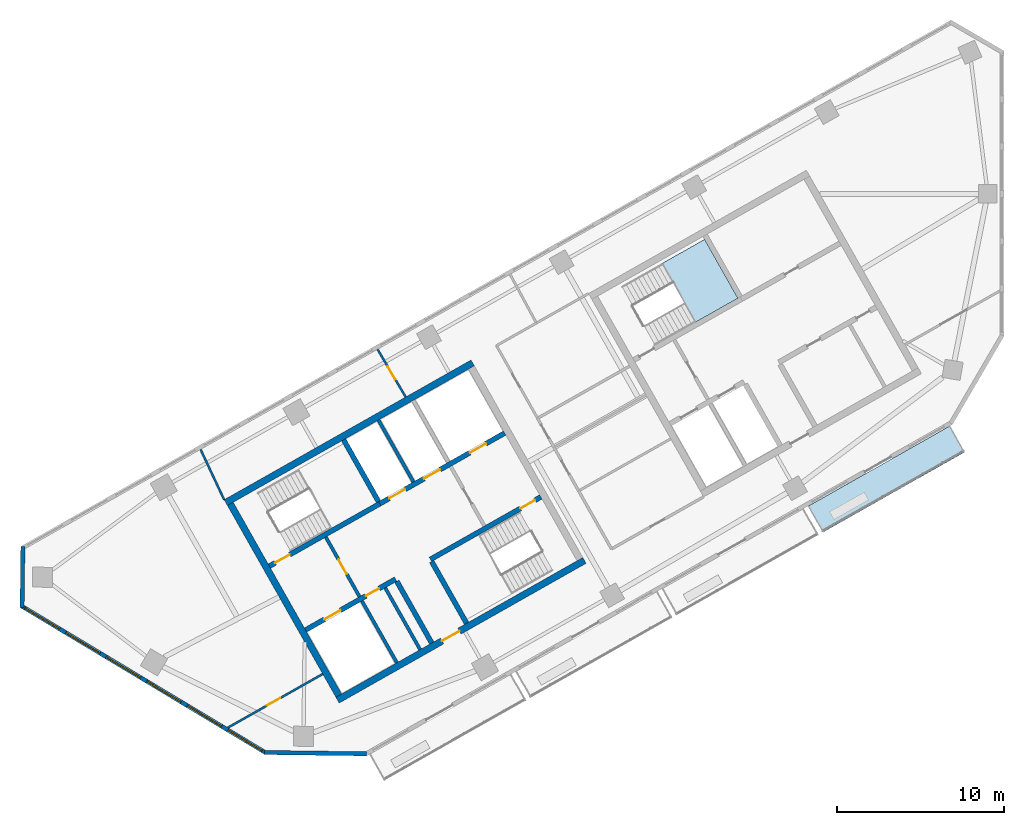
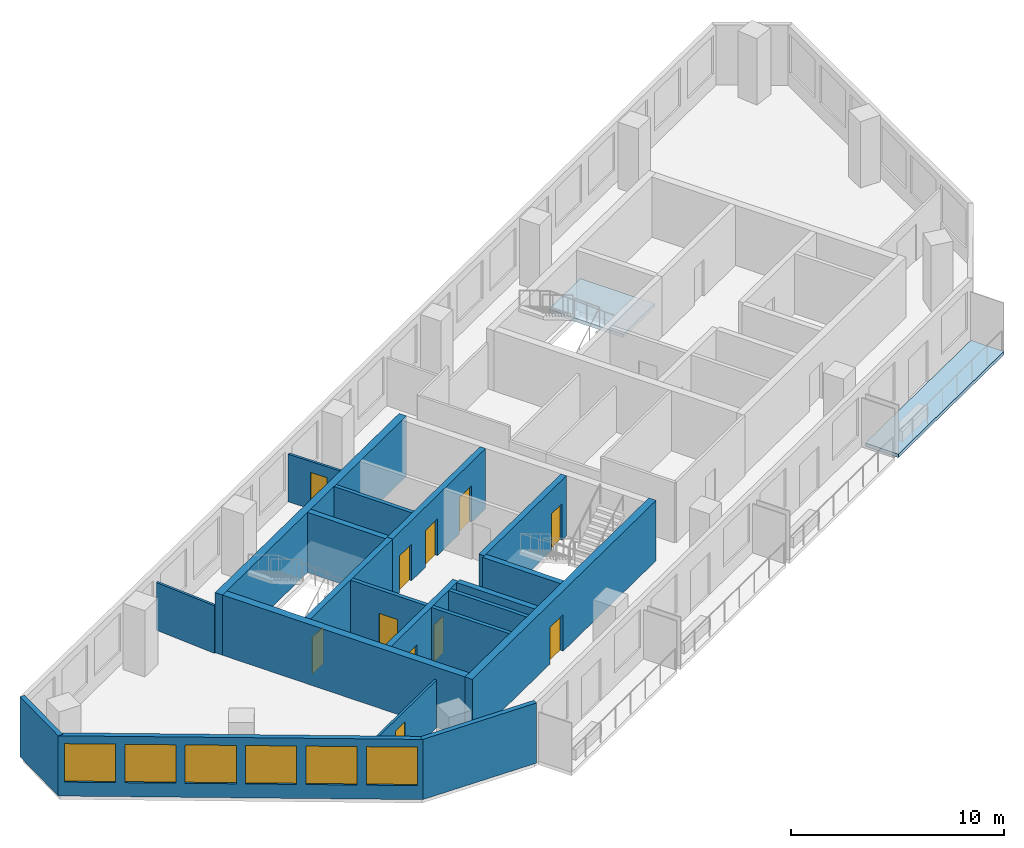
# One storey, part 2 of 7: 20 walls, 11 doors, 6 windows, 2 slabs, 17 openings, 1 element without a shape of its own.
"""IFC4 building model written with IfcOpenShell, lengths in metres."""

from ifc_helpers import new_model, si_unit, direction, frame, frame_2d, origin, place, context, subcontext, project, spatial, polyline, rectangle, outline, extrude, material, layer, layer_set, type_object, element, fill, aggregate, save


model = new_model("IFC4")

# Units and contexts
model_context = context("Model", 3, precision=1e-05, world=origin(), true_north=direction((0.0, 1.0)))
body_context = subcontext(model_context, "Body", "Model", "MODEL_VIEW")
ifc_project = project(units=[si_unit("LENGTHUNIT", "METRE"), si_unit("AREAUNIT", "SQUARE_METRE"), si_unit("VOLUMEUNIT", "CUBIC_METRE"), si_unit("PLANEANGLEUNIT", "RADIAN"), si_unit("MASSUNIT", "GRAM", prefix="KILO")], contexts=[model_context])

# Site, building, storey
site_placement = place(None, origin())
site = spatial("IfcSite", under=ifc_project, at=site_placement, CompositionType="ELEMENT")
building_placement = place(site_placement, origin())
building = spatial("IfcBuilding", under=site, at=building_placement, Name="Binnacle Exchange Tower", CompositionType="ELEMENT")
storey_placement = place(building_placement, frame((0.0, 0.0, 281.699951171875)))
storey = spatial("IfcBuildingStorey", under=building, at=storey_placement, Name="L63", CompositionType="ELEMENT", Elevation=281.699951171875)

# Slab
ifc_material_1 = material(Name="Concrete C35/45", Category="concrete")
ifc_layer_1 = layer(ifc_material_1, 0.199951171875)
ifc_layer_set_1 = layer_set([ifc_layer_1], Name="BALCONY SLAB 200")
slab_type_1 = type_object("IfcSlabType", Name="BALCONY SLAB 200", PredefinedType="FLOOR", material=ifc_layer_set_1)
slab_1_placement = place(storey_placement, frame((0.0, 0.0, -0.199951171875)))
element("IfcSlab", 1, at=slab_1_placement, inside=storey, type_object=slab_type_1, Name="Balcony BA-H07-03 L63", PredefinedType="FLOOR", context=body_context, shape_type="SweptSolid", body=[
    extrude(outline(polyline([(-11.616943359375, 41.28369140625), (-3.115234375, 46.093994140625), (-2.22900390625, 44.527099609375), (-10.730712890625, 39.717041015625), (-11.616943359375, 41.28369140625)])), origin(), (0.0, 0.0, 1.0), 0.199951171875),
])

# Stair, slab
stair_type = type_object("IfcStairType", Name="STAIR 22 RISERS 173", PredefinedType="HALF_TURN_STAIR", material=ifc_material_1)
stair_placement = place(storey_placement, origin())
stair = element("IfcStair", 2, at=stair_placement, inside=storey, type_object=stair_type, Name="L63 Escape stair C1", PredefinedType="HALF_TURN_STAIR")
ifc_layer_2 = layer(ifc_material_1, 0.199951171875)
ifc_layer_set_2 = layer_set([ifc_layer_2], Name="STAIR LANDING 200")
slab_type_2 = type_object("IfcSlabType", Name="STAIR LANDING 200", PredefinedType="LANDING", material=ifc_layer_set_2)
slab_2_placement = place(storey_placement, frame((0.0, 0.0, 1.699951171875)))
slab_2 = element("IfcSlab", 3, at=slab_2_placement, type_object=slab_type_2, Name="STC1 landing 1", PredefinedType="LANDING", context=body_context, shape_type="SweptSolid", body=[
    extrude(outline(polyline([(-18.364013671875, 52.31005859375), (-15.822509765625, 53.748046875), (-17.81689453125, 57.27294921875), (-20.3583984375, 55.8349609375), (-18.364013671875, 52.31005859375)])), origin(), (0.0, 0.0, 1.0), 0.2001953125),
])
aggregate(stair, [slab_2])

# Wall, openings, doors
ifc_material_2 = material(Name="Concrete C70/85", Category="concrete")
ifc_layer_3 = layer(ifc_material_2, 0.300048828125)
ifc_layer_set_3 = layer_set([ifc_layer_3], Name="Core wall - front 300")
wall_type_1 = type_object("IfcWallType", Name="Core wall - front 300", PredefinedType="SOLIDWALL", material=ifc_layer_set_3)
wall_1_placement = place(storey_placement, frame((-41.72998046875, 33.862548828125, 0.0), z_axis=(0.0, 0.0, 1.0), x_axis=(0.870350800578, 0.492432212525, 0.0)))
wall_1 = element("IfcWall", 4, at=wall_1_placement, inside=storey, type_object=wall_type_1, Name="Core wall CRWA2", PredefinedType="SOLIDWALL", context=body_context, shape_type="SweptSolid", body=[
    extrude(rectangle(XDim=6.19970703125, YDim=0.300048828125, at=frame_2d((3.099853515625, 0.0))), origin(), (0.0, 0.0, 1.0), 3.449951171875),
])
opening_1_placement = place(wall_1_placement, frame((1.300048828125, 0.0, 0.0)))
opening_1 = element("IfcOpeningElement", 5, at=opening_1_placement, cuts=wall_1, Name="Opening LD12", PredefinedType="OPENING", context=body_context, shape_type="SweptSolid", body=[
    extrude(rectangle(XDim=1.10009765625, YDim=2.10009765625, at=frame_2d((0.550048828125, 1.050048828125))), frame((0.0, 0.159912109375, 0.0), z_axis=(0.0, -1.0, 0.0), x_axis=(1.0, 0.0, 0.0)), (0.0, 0.0, 1.0), 0.320068359375),
])
opening_2_placement = place(wall_1_placement, frame((4.14990234375, 0.0, 0.0)))
opening_2 = element("IfcOpeningElement", 6, at=opening_2_placement, cuts=wall_1, Name="Opening DA14", PredefinedType="OPENING", context=body_context, shape_type="SweptSolid", body=[
    extrude(rectangle(XDim=0.89990234375, YDim=2.10009765625, at=frame_2d((0.449951171875, 1.050048828125))), frame((0.0, 0.159912109375, 0.0), z_axis=(0.0, -1.0, 0.0), x_axis=(1.0, 0.0, 0.0)), (0.0, 0.0, 1.0), 0.320068359375),
])
ifc_material_3 = material(Name="Steel door leaf", Category="steel")
door_type_1 = type_object("IfcDoorType", Name="Fire door - lift landing 1100", OperationType="NOTDEFINED", PredefinedType="DOOR", material=ifc_material_3)
door_1_placement = place(opening_1_placement, origin())
door_1 = element("IfcDoor", 7, at=door_1_placement, inside=storey, type_object=door_type_1, Name="Landing door LD12 L63", OperationType="DOUBLE_DOOR_SLIDING", OverallHeight=2.10009765625, OverallWidth=1.10009765625, PredefinedType="DOOR", context=body_context, shape_type="SweptSolid", body=[
    extrude(rectangle(XDim=1.10009765625, YDim=2.10009765625, at=frame_2d((0.550048828125, 1.050048828125))), frame((0.0, 0.02490234375, 0.0), z_axis=(0.0, -1.0, 0.0), x_axis=(1.0, 0.0, 0.0)), (0.0, 0.0, 1.0), 0.050048828125),
])
fill(opening_1, door_1)
door_type_2 = type_object("IfcDoorType", Name="Fire door 900", OperationType="NOTDEFINED", PredefinedType="DOOR", material=ifc_material_3)
door_2_placement = place(opening_2_placement, frame((0.89990234375, 0.0, 0.0), z_axis=(0.0, 0.0, 1.0), x_axis=(-1.0, 0.0, 0.0)))
door_2 = element("IfcDoor", 8, at=door_2_placement, inside=storey, type_object=door_type_2, Name="Core room door IT STORE", OperationType="SINGLE_SWING_LEFT", OverallHeight=2.10009765625, OverallWidth=0.89990234375, PredefinedType="DOOR", context=body_context, shape_type="SweptSolid", body=[
    extrude(rectangle(XDim=0.89990234375, YDim=2.10009765625, at=frame_2d((0.449951171875, 1.050048828125))), frame((0.0, 0.02490234375, 0.0), z_axis=(0.0, -1.0, 0.0), x_axis=(1.0, 0.0, 0.0)), (0.0, 0.0, 1.0), 0.050048828125),
])
fill(opening_2, door_2)

wall_2_placement = place(storey_placement, frame((-37.281982421875, 41.4345703125, 0.0), z_axis=(0.0, 0.0, 1.0), x_axis=(0.870361315115, 0.492413628113, 0.0)))
wall_2 = element("IfcWall", 9, at=wall_2_placement, inside=storey, type_object=wall_type_1, Name="Core wall CRWA5", PredefinedType="SOLIDWALL", context=body_context, shape_type="SweptSolid", body=[
    extrude(rectangle(XDim=8.599609375, YDim=0.300048828125, at=frame_2d((4.2998046875, 0.0))), origin(), (0.0, 0.0, 1.0), 3.449951171875),
])
opening_3_placement = place(wall_2_placement, frame((0.650146484375, 0.0, 0.0)))
opening_3 = element("IfcOpeningElement", 10, at=opening_3_placement, cuts=wall_2, Name="Opening LD9", PredefinedType="OPENING", context=body_context, shape_type="SweptSolid", body=[
    extrude(rectangle(XDim=1.10009765625, YDim=2.10009765625, at=frame_2d((0.550048828125, 1.050048828125))), frame((0.0, 0.159912109375, 0.0), z_axis=(0.0, -1.0, 0.0), x_axis=(1.0, 0.0, 0.0)), (0.0, 0.0, 1.0), 0.320068359375),
])
opening_4_placement = place(wall_2_placement, frame((3.050048828125, 0.0, 0.0)))
opening_4 = element("IfcOpeningElement", 11, at=opening_4_placement, cuts=wall_2, Name="Opening LD10", PredefinedType="OPENING", context=body_context, shape_type="SweptSolid", body=[
    extrude(rectangle(XDim=1.10009765625, YDim=2.10009765625, at=frame_2d((0.550048828125, 1.050048828125))), frame((0.0, 0.159912109375, 0.0), z_axis=(0.0, -1.0, 0.0), x_axis=(1.0, 0.0, 0.0)), (0.0, 0.0, 1.0), 0.320068359375),
])
opening_5_placement = place(wall_2_placement, frame((6.199951171875, 0.0, 0.0)))
opening_5 = element("IfcOpeningElement", 12, at=opening_5_placement, cuts=wall_2, Name="Opening LD13", PredefinedType="OPENING", context=body_context, shape_type="SweptSolid", body=[
    extrude(rectangle(XDim=1.10009765625, YDim=2.10009765625, at=frame_2d((0.550048828125, 1.050048828125))), frame((0.0, 0.159912109375, 0.0), z_axis=(0.0, -1.0, 0.0), x_axis=(1.0, 0.0, 0.0)), (0.0, 0.0, 1.0), 0.320068359375),
])
door_3_placement = place(opening_3_placement, origin())
door_3 = element("IfcDoor", 13, at=door_3_placement, inside=storey, type_object=door_type_1, Name="Landing door LD9 L63", OperationType="DOUBLE_DOOR_SLIDING", OverallHeight=2.10009765625, OverallWidth=1.10009765625, PredefinedType="DOOR", context=body_context, shape_type="SweptSolid", body=[
    extrude(rectangle(XDim=1.10009765625, YDim=2.10009765625, at=frame_2d((0.550048828125, 1.050048828125))), frame((0.0, 0.02490234375, 0.0), z_axis=(0.0, -1.0, 0.0), x_axis=(1.0, 0.0, 0.0)), (0.0, 0.0, 1.0), 0.050048828125),
])
fill(opening_3, door_3)
door_4_placement = place(opening_4_placement, origin())
door_4 = element("IfcDoor", 14, at=door_4_placement, inside=storey, type_object=door_type_1, Name="Landing door LD10 L63", OperationType="DOUBLE_DOOR_SLIDING", OverallHeight=2.10009765625, OverallWidth=1.10009765625, PredefinedType="DOOR", context=body_context, shape_type="SweptSolid", body=[
    extrude(rectangle(XDim=1.10009765625, YDim=2.10009765625, at=frame_2d((0.550048828125, 1.050048828125))), frame((0.0, 0.02490234375, 0.0), z_axis=(0.0, -1.0, 0.0), x_axis=(1.0, 0.0, 0.0)), (0.0, 0.0, 1.0), 0.050048828125),
])
fill(opening_4, door_4)
door_5_placement = place(opening_5_placement, origin())
door_5 = element("IfcDoor", 15, at=door_5_placement, inside=storey, type_object=door_type_1, Name="Landing door LD13 L63", OperationType="DOUBLE_DOOR_SLIDING", OverallHeight=2.10009765625, OverallWidth=1.10009765625, PredefinedType="DOOR", context=body_context, shape_type="SweptSolid", body=[
    extrude(rectangle(XDim=1.10009765625, YDim=2.10009765625, at=frame_2d((0.550048828125, 1.050048828125))), frame((0.0, 0.02490234375, 0.0), z_axis=(0.0, -1.0, 0.0), x_axis=(1.0, 0.0, 0.0)), (0.0, 0.0, 1.0), 0.050048828125),
])
fill(opening_5, door_5)

# Wall
wall_3_placement = place(storey_placement, frame((-36.260009765625, 36.784912109375, 0.0), z_axis=(0.0, 0.0, 1.0), x_axis=(0.492422543467, -0.870356271124, 0.0)))
element("IfcWall", 16, at=wall_3_placement, inside=storey, type_object=wall_type_1, Name="Core wall CRWA13", PredefinedType="SOLIDWALL", context=body_context, shape_type="SweptSolid", body=[
    extrude(rectangle(XDim=4.25, YDim=0.300048828125, at=frame_2d((2.125, 0.0))), origin(), (0.0, 0.0, 1.0), 3.449951171875),
])

# Wall, opening, door
ifc_layer_4 = layer(ifc_material_2, 0.39990234375)
ifc_layer_set_4 = layer_set([ifc_layer_4], Name="Core wall - outer 400")
wall_type_2 = type_object("IfcWallType", Name="Core wall - outer 400", PredefinedType="SOLIDWALL", material=ifc_layer_set_4)
wall_4_placement = place(storey_placement, frame((-39.81298828125, 29.661865234375, 0.0), z_axis=(0.0, 0.0, 1.0), x_axis=(0.870350116061, 0.492433422375, 0.0)))
wall_4 = element("IfcWall", 17, at=wall_4_placement, inside=storey, type_object=wall_type_2, Name="Core wall CRWA1", PredefinedType="SOLIDWALL", context=body_context, shape_type="SweptSolid", body=[
    extrude(rectangle(XDim=17.0, YDim=0.39990234375, at=frame_2d((8.5, 0.0))), origin(), (0.0, 0.0, 1.0), 3.449951171875),
])
opening_6_placement = place(wall_4_placement, frame((7.199951171875, 0.0, 0.0)))
opening_6 = element("IfcOpeningElement", 18, at=opening_6_placement, cuts=wall_4, Name="Opening DA7", PredefinedType="OPENING", context=body_context, shape_type="SweptSolid", body=[
    extrude(rectangle(XDim=1.199951171875, YDim=2.10009765625, at=frame_2d((0.60009765625, 1.050048828125))), frame((0.0, 0.2099609375, 0.0), z_axis=(0.0, -1.0, 0.0), x_axis=(1.0, 0.0, 0.0)), (0.0, 0.0, 1.0), 0.419921875),
])
door_type_3 = type_object("IfcDoorType", Name="Fire door 1200", OperationType="NOTDEFINED", PredefinedType="DOOR", material=ifc_material_3)
door_6_placement = place(opening_6_placement, frame((1.199951171875, 0.0, 0.0), z_axis=(0.0, 0.0, 1.0), x_axis=(-1.0, 0.0, 0.0)))
door_6 = element("IfcDoor", 19, at=door_6_placement, inside=storey, type_object=door_type_3, Name="Lift lobby entrance door core A", OperationType="SINGLE_SWING_RIGHT", OverallHeight=2.10009765625, OverallWidth=1.199951171875, PredefinedType="DOOR", context=body_context, shape_type="SweptSolid", body=[
    extrude(rectangle(XDim=1.199951171875, YDim=2.10009765625, at=frame_2d((0.60009765625, 1.050048828125))), frame((0.0, 0.02490234375, 0.0), z_axis=(0.0, -1.0, 0.0), x_axis=(1.0, 0.0, 0.0)), (0.0, 0.0, 1.0), 0.050048828125),
])
fill(opening_6, door_6)

# Walls
wall_5_placement = place(storey_placement, frame((-46.510009765625, 41.498779296875, 0.0), z_axis=(0.0, 0.0, 1.0), x_axis=(0.870356271124, 0.492422543467, 0.0)))
element("IfcWall", 20, at=wall_5_placement, inside=storey, type_object=wall_type_2, Name="Core wall CRWA6", PredefinedType="SOLIDWALL", context=body_context, shape_type="SweptSolid", body=[
    extrude(rectangle(XDim=16.999755859375, YDim=0.39990234375, at=frame_2d((8.5, 0.0))), origin(), (0.0, 0.0, 1.0), 3.449951171875),
])
wall_6_placement = place(storey_placement, frame((-46.237548828125, 41.423095703125, 0.0), z_axis=(0.0, 0.0, 1.0), x_axis=(0.492421663121, -0.870356769198, 0.0)))
element("IfcWall", 21, at=wall_6_placement, inside=storey, type_object=wall_type_2, Name="Core wall CRWA7", PredefinedType="SOLIDWALL", context=body_context, shape_type="SweptSolid", body=[
    extrude(rectangle(XDim=13.199951171875, YDim=0.39990234375, at=frame_2d((6.60009765625, 0.0))), origin(), (0.0, 0.0, 1.0), 3.449951171875),
])

# Wall, opening, door
ifc_layer_5 = layer(ifc_material_2, 0.300048828125)
ifc_layer_set_5 = layer_set([ifc_layer_5], Name="Core wall - stair 300")
wall_type_3 = type_object("IfcWallType", Name="Core wall - stair 300", PredefinedType="SOLIDWALL", material=ifc_layer_set_5)
wall_7_placement = place(storey_placement, frame((-34.2451171875, 38.097412109375, 0.0), z_axis=(0.0, 0.0, 1.0), x_axis=(0.870356351998, 0.492422400523, 0.0)))
wall_7 = element("IfcWall", 22, at=wall_7_placement, inside=storey, type_object=wall_type_3, Name="Core wall CRWA3", PredefinedType="SOLIDWALL", context=body_context, shape_type="SweptSolid", body=[
    extrude(rectangle(XDim=7.60009765625, YDim=0.300048828125, at=frame_2d((3.800048828125, 0.0))), origin(), (0.0, 0.0, 1.0), 3.449951171875),
])
opening_7_placement = place(wall_7_placement, frame((6.199951171875, 0.0, 0.0)))
opening_7 = element("IfcOpeningElement", 23, at=opening_7_placement, cuts=wall_7, Name="Opening DA2", PredefinedType="OPENING", context=body_context, shape_type="SweptSolid", body=[
    extrude(rectangle(XDim=1.0, YDim=2.10009765625, at=frame_2d((0.5, 1.050048828125))), frame((0.0, 0.159912109375, 0.0), z_axis=(0.0, -1.0, 0.0), x_axis=(1.0, 0.0, 0.0)), (0.0, 0.0, 1.0), 0.320068359375),
])
door_type_4 = type_object("IfcDoorType", Name="Fire door 1000", OperationType="NOTDEFINED", PredefinedType="DOOR", material=ifc_material_3)
door_7_placement = place(opening_7_placement, frame((1.0, 0.0, 0.0), z_axis=(0.0, 0.0, 1.0), x_axis=(-1.0, 0.0, 0.0)))
door_7 = element("IfcDoor", 24, at=door_7_placement, inside=storey, type_object=door_type_4, Name="Stair door ST-A2", OperationType="SINGLE_SWING_LEFT", OverallHeight=2.10009765625, OverallWidth=1.0, PredefinedType="DOOR", context=body_context, shape_type="SweptSolid", body=[
    extrude(rectangle(XDim=1.0, YDim=2.10009765625, at=frame_2d((0.5, 1.050048828125))), frame((0.0, 0.02490234375, 0.0), z_axis=(0.0, -1.0, 0.0), x_axis=(1.0, 0.0, 0.0)), (0.0, 0.0, 1.0), 0.050048828125),
])
fill(opening_7, door_7)

wall_8_placement = place(storey_placement, frame((-43.896728515625, 37.692138671875, 0.0), z_axis=(0.0, 0.0, 1.0), x_axis=(0.870356351998, 0.492422400523, 0.0)))
wall_8 = element("IfcWall", 25, at=wall_8_placement, inside=storey, type_object=wall_type_3, Name="Core wall CRWA4", PredefinedType="SOLIDWALL", context=body_context, shape_type="SweptSolid", body=[
    extrude(rectangle(XDim=7.60009765625, YDim=0.300048828125, at=frame_2d((3.800048828125, 0.0))), origin(), (0.0, 0.0, 1.0), 3.449951171875),
])
opening_8_placement = place(wall_8_placement, frame((0.39990234375, 0.0, 0.0)))
opening_8 = element("IfcOpeningElement", 26, at=opening_8_placement, cuts=wall_8, Name="Opening DA1", PredefinedType="OPENING", context=body_context, shape_type="SweptSolid", body=[
    extrude(rectangle(XDim=1.0, YDim=2.10009765625, at=frame_2d((0.5, 1.050048828125))), frame((0.0, 0.159912109375, 0.0), z_axis=(0.0, -1.0, 0.0), x_axis=(1.0, 0.0, 0.0)), (0.0, 0.0, 1.0), 0.320068359375),
])
door_8_placement = place(opening_8_placement, origin())
door_8 = element("IfcDoor", 27, at=door_8_placement, inside=storey, type_object=door_type_4, Name="Stair door ST-A1", OperationType="SINGLE_SWING_LEFT", OverallHeight=2.10009765625, OverallWidth=1.0, PredefinedType="DOOR", context=body_context, shape_type="SweptSolid", body=[
    extrude(rectangle(XDim=1.0, YDim=2.10009765625, at=frame_2d((0.5, 1.050048828125))), frame((0.0, 0.02490234375, 0.0), z_axis=(0.0, -1.0, 0.0), x_axis=(1.0, 0.0, 0.0)), (0.0, 0.0, 1.0), 0.050048828125),
])
fill(opening_8, door_8)

# Walls
for number, where, z_axis, x_axis, name in (
    (28, (-39.44873046875, 45.263916015625, 0.0), (0.0, 0.0, 1.0), (0.492422543467, -0.870356271124, 0.0), "Core wall CRWA14"),
    (29, (-34.171142578125, 37.966796875, 0.0), (0.0, 0.0, 1.0), (0.492422543467, -0.870356271124, 0.0), "Core wall CRWA16"),
):
    element("IfcWall", number, at=place(storey_placement, frame(where, z_axis=z_axis, x_axis=x_axis)), inside=storey, type_object=wall_type_3, Name=name, PredefinedType="SOLIDWALL", context=body_context, shape_type="SweptSolid", body=[
        extrude(rectangle(XDim=4.25, YDim=0.300048828125, at=frame_2d((2.125, 0.0))), origin(), (0.0, 0.0, 1.0), 3.449951171875),
    ])
ifc_material_4 = material(Name="Bronze aluminium cladding", Category="aluminium")
ifc_layer_6 = layer(ifc_material_4, 0.25)
ifc_layer_set_6 = layer_set([ifc_layer_6], Name="External wall - window wall 250")
wall_type_4 = type_object("IfcWallType", Name="External wall - window wall 250", PredefinedType="STANDARD", material=ifc_layer_set_6)
wall_9_placement = place(storey_placement, frame((-58.717041015625, 35.208251953125, 0.0), z_axis=(0.0, 0.0, 1.0), x_axis=(0.01310512158, 0.999914124207, 0.0)))
element("IfcWall", 30, at=wall_9_placement, inside=storey, type_object=wall_type_4, Name="External wall EW-H04 L63", PredefinedType="STANDARD", context=body_context, shape_type="SweptSolid", body=[
    extrude(rectangle(XDim=3.669921875, YDim=0.25, at=frame_2d((1.8349609375, 0.0))), origin(), (0.0, 0.0, 1.0), 3.449951171875),
])

# Wall, openings, windows
wall_10_placement = place(storey_placement, frame((-44.115234375, 26.507080078125, 0.0), z_axis=(0.0, 0.0, 1.0), x_axis=(-0.857166583633, 0.515039268311, 0.0)))
wall_10 = element("IfcWall", 31, at=wall_10_placement, inside=storey, type_object=wall_type_4, Name="External wall EW-H05 L63", PredefinedType="STANDARD", context=body_context, shape_type="SweptSolid", body=[
    extrude(rectangle(XDim=17.105712890625, YDim=0.25, at=frame_2d((8.552734375, 0.0))), origin(), (0.0, 0.0, 1.0), 3.449951171875),
])
opening_9_placement = place(wall_10_placement, frame((14.4169921875, 0.0, 0.800048828125)))
opening_9 = element("IfcOpeningElement", 32, at=opening_9_placement, cuts=wall_10, Name="Opening WR2", PredefinedType="OPENING", context=body_context, shape_type="SweptSolid", body=[
    extrude(rectangle(XDim=2.39990234375, YDim=2.199951171875, at=frame_2d((1.199951171875, 1.10009765625))), frame((0.0, 0.135009765625, 0.0), z_axis=(0.0, -1.0, 0.0), x_axis=(1.0, 0.0, 0.0)), (0.0, 0.0, 1.0), 0.27001953125),
])
opening_10_placement = place(wall_10_placement, frame((11.583740234375, 0.0, 0.800048828125)))
opening_10 = element("IfcOpeningElement", 33, at=opening_10_placement, cuts=wall_10, Name="Opening WR2", PredefinedType="OPENING", context=body_context, shape_type="SweptSolid", body=[
    extrude(rectangle(XDim=2.39990234375, YDim=2.199951171875, at=frame_2d((1.199951171875, 1.10009765625))), frame((0.0, 0.135009765625, 0.0), z_axis=(0.0, -1.0, 0.0), x_axis=(1.0, 0.0, 0.0)), (0.0, 0.0, 1.0), 0.27001953125),
])
opening_11_placement = place(wall_10_placement, frame((8.75048828125, 0.0, 0.800048828125)))
opening_11 = element("IfcOpeningElement", 34, at=opening_11_placement, cuts=wall_10, Name="Opening WR2", PredefinedType="OPENING", context=body_context, shape_type="SweptSolid", body=[
    extrude(rectangle(XDim=2.39990234375, YDim=2.199951171875, at=frame_2d((1.199951171875, 1.10009765625))), frame((0.0, 0.135009765625, 0.0), z_axis=(0.0, -1.0, 0.0), x_axis=(1.0, 0.0, 0.0)), (0.0, 0.0, 1.0), 0.27001953125),
])
opening_12_placement = place(wall_10_placement, frame((5.9169921875, 0.0, 0.800048828125)))
opening_12 = element("IfcOpeningElement", 35, at=opening_12_placement, cuts=wall_10, Name="Opening WR2", PredefinedType="OPENING", context=body_context, shape_type="SweptSolid", body=[
    extrude(rectangle(XDim=2.39990234375, YDim=2.199951171875, at=frame_2d((1.199951171875, 1.10009765625))), frame((0.0, 0.135009765625, 0.0), z_axis=(0.0, -1.0, 0.0), x_axis=(1.0, 0.0, 0.0)), (0.0, 0.0, 1.0), 0.27001953125),
])
opening_13_placement = place(wall_10_placement, frame((3.083740234375, 0.0, 0.800048828125)))
opening_13 = element("IfcOpeningElement", 36, at=opening_13_placement, cuts=wall_10, Name="Opening WR2", PredefinedType="OPENING", context=body_context, shape_type="SweptSolid", body=[
    extrude(rectangle(XDim=2.39990234375, YDim=2.199951171875, at=frame_2d((1.199951171875, 1.10009765625))), frame((0.0, 0.135009765625, 0.0), z_axis=(0.0, -1.0, 0.0), x_axis=(1.0, 0.0, 0.0)), (0.0, 0.0, 1.0), 0.27001953125),
])
opening_14_placement = place(wall_10_placement, frame((0.25048828125, 0.0, 0.800048828125)))
opening_14 = element("IfcOpeningElement", 37, at=opening_14_placement, cuts=wall_10, Name="Opening WR2", PredefinedType="OPENING", context=body_context, shape_type="SweptSolid", body=[
    extrude(rectangle(XDim=2.39990234375, YDim=2.199951171875, at=frame_2d((1.199951171875, 1.10009765625))), frame((0.0, 0.135009765625, 0.0), z_axis=(0.0, -1.0, 0.0), x_axis=(1.0, 0.0, 0.0)), (0.0, 0.0, 1.0), 0.27001953125),
])
ifc_material_5 = material(Name="Bronze anodised aluminium frame", Category="aluminium")
window_type = type_object("IfcWindowType", Name="WR2 WINDOW 2400x2200", PartitioningType="SINGLE_PANEL", PredefinedType="WINDOW", material=ifc_material_5)
window_1_placement = place(opening_9_placement, origin())
window_1 = element("IfcWindow", 38, at=window_1_placement, inside=storey, type_object=window_type, Name="Window WR2 L63", OverallHeight=2.199951171875, OverallWidth=2.39990234375, PartitioningType="SINGLE_PANEL", PredefinedType="WINDOW", context=body_context, shape_type="SweptSolid", body=[
    extrude(rectangle(XDim=2.39990234375, YDim=2.199951171875, at=frame_2d((1.199951171875, 1.10009765625))), frame((0.0, 0.030029296875, 0.0), z_axis=(0.0, -1.0, 0.0), x_axis=(1.0, 0.0, 0.0)), (0.0, 0.0, 1.0), 0.06005859375),
])
fill(opening_9, window_1)
window_2_placement = place(opening_10_placement, origin())
window_2 = element("IfcWindow", 39, at=window_2_placement, inside=storey, type_object=window_type, Name="Window WR2 L63", OverallHeight=2.199951171875, OverallWidth=2.39990234375, PartitioningType="SINGLE_PANEL", PredefinedType="WINDOW", context=body_context, shape_type="SweptSolid", body=[
    extrude(rectangle(XDim=2.39990234375, YDim=2.199951171875, at=frame_2d((1.199951171875, 1.10009765625))), frame((0.0, 0.030029296875, 0.0), z_axis=(0.0, -1.0, 0.0), x_axis=(1.0, 0.0, 0.0)), (0.0, 0.0, 1.0), 0.06005859375),
])
fill(opening_10, window_2)
window_3_placement = place(opening_11_placement, origin())
window_3 = element("IfcWindow", 40, at=window_3_placement, inside=storey, type_object=window_type, Name="Window WR2 L63", OverallHeight=2.199951171875, OverallWidth=2.39990234375, PartitioningType="SINGLE_PANEL", PredefinedType="WINDOW", context=body_context, shape_type="SweptSolid", body=[
    extrude(rectangle(XDim=2.39990234375, YDim=2.199951171875, at=frame_2d((1.199951171875, 1.10009765625))), frame((0.0, 0.030029296875, 0.0), z_axis=(0.0, -1.0, 0.0), x_axis=(1.0, 0.0, 0.0)), (0.0, 0.0, 1.0), 0.06005859375),
])
fill(opening_11, window_3)
window_4_placement = place(opening_12_placement, origin())
window_4 = element("IfcWindow", 41, at=window_4_placement, inside=storey, type_object=window_type, Name="Window WR2 L63", OverallHeight=2.199951171875, OverallWidth=2.39990234375, PartitioningType="SINGLE_PANEL", PredefinedType="WINDOW", context=body_context, shape_type="SweptSolid", body=[
    extrude(rectangle(XDim=2.39990234375, YDim=2.199951171875, at=frame_2d((1.199951171875, 1.10009765625))), frame((0.0, 0.030029296875, 0.0), z_axis=(0.0, -1.0, 0.0), x_axis=(1.0, 0.0, 0.0)), (0.0, 0.0, 1.0), 0.06005859375),
])
fill(opening_12, window_4)
window_5_placement = place(opening_13_placement, origin())
window_5 = element("IfcWindow", 42, at=window_5_placement, inside=storey, type_object=window_type, Name="Window WR2 L63", OverallHeight=2.199951171875, OverallWidth=2.39990234375, PartitioningType="SINGLE_PANEL", PredefinedType="WINDOW", context=body_context, shape_type="SweptSolid", body=[
    extrude(rectangle(XDim=2.39990234375, YDim=2.199951171875, at=frame_2d((1.199951171875, 1.10009765625))), frame((0.0, 0.030029296875, 0.0), z_axis=(0.0, -1.0, 0.0), x_axis=(1.0, 0.0, 0.0)), (0.0, 0.0, 1.0), 0.06005859375),
])
fill(opening_13, window_5)
window_6_placement = place(opening_14_placement, origin())
window_6 = element("IfcWindow", 43, at=window_6_placement, inside=storey, type_object=window_type, Name="Window WR2 L63", OverallHeight=2.199951171875, OverallWidth=2.39990234375, PartitioningType="SINGLE_PANEL", PredefinedType="WINDOW", context=body_context, shape_type="SweptSolid", body=[
    extrude(rectangle(XDim=2.39990234375, YDim=2.199951171875, at=frame_2d((1.199951171875, 1.10009765625))), frame((0.0, 0.030029296875, 0.0), z_axis=(0.0, -1.0, 0.0), x_axis=(1.0, 0.0, 0.0)), (0.0, 0.0, 1.0), 0.06005859375),
])
fill(opening_14, window_6)

# Wall
wall_11_placement = place(storey_placement, frame((-38.06396484375, 26.44482421875, 0.0), z_axis=(0.0, 0.0, 1.0), x_axis=(-0.999914239143, 0.013096349097, 0.0)))
element("IfcWall", 44, at=wall_11_placement, inside=storey, type_object=wall_type_4, Name="External wall EW-H06 L63", PredefinedType="STANDARD", context=body_context, shape_type="SweptSolid", body=[
    extrude(rectangle(XDim=6.114501953125, YDim=0.25, at=frame_2d((3.05712890625, 0.0))), origin(), (0.0, 0.0, 1.0), 3.449951171875),
])

# Wall, opening, door
ifc_material_6 = material(Name="Masonry block wall", Category="masonry")
ifc_layer_7 = layer(ifc_material_6, 0.199951171875)
ifc_layer_set_7 = layer_set([ifc_layer_7], Name="Fire wall - vestibule 200")
wall_type_5 = type_object("IfcWallType", Name="Fire wall - vestibule 200", PredefinedType="PARTITIONING", material=ifc_layer_set_7)
wall_12_placement = place(storey_placement, frame((-40.515625, 39.4326171875, 0.0), z_axis=(0.0, 0.0, 1.0), x_axis=(0.492453559952, -0.87033872216, 0.0)))
wall_12 = element("IfcWall", 45, at=wall_12_placement, inside=storey, type_object=wall_type_5, Name="Core wall CRWA10", PredefinedType="PARTITIONING", context=body_context, shape_type="SweptSolid", body=[
    extrude(rectangle(XDim=4.099853515625, YDim=0.199951171875, at=frame_2d((2.0498046875, 0.0))), origin(), (0.0, 0.0, 1.0), 3.449951171875),
])
opening_15_placement = place(wall_12_placement, frame((1.550048828125, 0.0, 0.0)))
opening_15 = element("IfcOpeningElement", 46, at=opening_15_placement, cuts=wall_12, Name="Opening DA3", PredefinedType="OPENING", context=body_context, shape_type="SweptSolid", body=[
    extrude(rectangle(XDim=1.0, YDim=2.10009765625, at=frame_2d((0.5, 1.050048828125))), frame((0.0, 0.10986328125, 0.0), z_axis=(0.0, -1.0, 0.0), x_axis=(1.0, 0.0, 0.0)), (0.0, 0.0, 1.0), 0.219970703125),
])
door_9_placement = place(opening_15_placement, frame((1.0, 0.0, 0.0), z_axis=(0.0, 0.0, 1.0), x_axis=(-1.0, 0.0, 0.0)))
door_9 = element("IfcDoor", 47, at=door_9_placement, inside=storey, type_object=door_type_4, Name="Vestibule door VEST-W", OperationType="SINGLE_SWING_LEFT", OverallHeight=2.10009765625, OverallWidth=1.0, PredefinedType="DOOR", context=body_context, shape_type="SweptSolid", body=[
    extrude(rectangle(XDim=1.0, YDim=2.10009765625, at=frame_2d((0.5, 1.050048828125))), frame((0.0, 0.02490234375, 0.0), z_axis=(0.0, -1.0, 0.0), x_axis=(1.0, 0.0, 0.0)), (0.0, 0.0, 1.0), 0.050048828125),
])
fill(opening_15, door_9)

# Wall
ifc_material_7 = material(Name="Gypsum partition")
ifc_layer_8 = layer(ifc_material_7, 0.125)
ifc_layer_set_8 = layer_set([ifc_layer_8], Name="Partition 125")
wall_type_6 = type_object("IfcWallType", Name="Partition 125", PredefinedType="PARTITIONING", material=ifc_layer_set_8)
wall_13_placement = place(storey_placement, frame((-48.02197265625, 44.68701171875, 0.0), z_axis=(0.0, 0.0, 1.0), x_axis=(0.424510917438, -0.905422818895, 0.0)))
element("IfcWall", 48, at=wall_13_placement, inside=storey, type_object=wall_type_6, Name="Partition W01", PredefinedType="PARTITIONING", context=body_context, shape_type="SweptSolid", body=[
    extrude(rectangle(XDim=3.328857421875, YDim=0.125, at=frame_2d((1.66455078125, 0.0))), origin(), (0.0, 0.0, 1.0), 2.72998046875),
])

# Wall, opening, door
wall_14_placement = place(storey_placement, frame((-46.381103515625, 28.014892578125, 0.0), z_axis=(0.0, 0.0, 1.0), x_axis=(0.870364232693, 0.492408471139, 0.0)))
wall_14 = element("IfcWall", 49, at=wall_14_placement, inside=storey, type_object=wall_type_6, Name="Partition W02", PredefinedType="PARTITIONING", context=body_context, shape_type="SweptSolid", body=[
    extrude(rectangle(XDim=6.52734375, YDim=0.125, at=frame_2d((3.263671875, 0.0))), origin(), (0.0, 0.0, 1.0), 2.72998046875),
])
opening_16_placement = place(wall_14_placement, frame((2.699951171875, 0.0, 0.0)))
opening_16 = element("IfcOpeningElement", 50, at=opening_16_placement, cuts=wall_14, Name="Opening DL61-01", PredefinedType="OPENING", context=body_context, shape_type="SweptSolid", body=[
    extrude(rectangle(XDim=0.89990234375, YDim=2.10009765625, at=frame_2d((0.449951171875, 1.050048828125))), frame((0.0, 0.072509765625, 0.0), z_axis=(0.0, -1.0, 0.0), x_axis=(1.0, 0.0, 0.0)), (0.0, 0.0, 1.0), 0.14501953125),
])
ifc_material_8 = material(Name="Timber door leaf", Category="wood")
door_type_5 = type_object("IfcDoorType", Name="Door 900", OperationType="NOTDEFINED", PredefinedType="DOOR", material=ifc_material_8)
door_10_placement = place(opening_16_placement, origin())
door_10 = element("IfcDoor", 51, at=door_10_placement, inside=storey, type_object=door_type_5, Name="Door DL61-01", OperationType="SINGLE_SWING_LEFT", OverallHeight=2.10009765625, OverallWidth=0.89990234375, PredefinedType="DOOR", context=body_context, shape_type="SweptSolid", body=[
    extrude(rectangle(XDim=0.89990234375, YDim=2.10009765625, at=frame_2d((0.449951171875, 1.050048828125))), frame((0.0, 0.02490234375, 0.0), z_axis=(0.0, -1.0, 0.0), x_axis=(1.0, 0.0, 0.0)), (0.0, 0.0, 1.0), 0.050048828125),
])
fill(opening_16, door_10)

wall_15_placement = place(storey_placement, frame((-37.416015625, 50.68701171875, 0.0), z_axis=(0.0, 0.0, 1.0), x_axis=(0.508176683483, -0.861252842297, 0.0)))
wall_15 = element("IfcWall", 52, at=wall_15_placement, inside=storey, type_object=wall_type_6, Name="Partition W03", PredefinedType="PARTITIONING", context=body_context, shape_type="SweptSolid", body=[
    extrude(rectangle(XDim=3.31982421875, YDim=0.125, at=frame_2d((1.659912109375, 0.0))), origin(), (0.0, 0.0, 1.0), 2.72998046875),
])
opening_17_placement = place(wall_15_placement, frame((1.199951171875, 0.0, 0.0)))
opening_17 = element("IfcOpeningElement", 53, at=opening_17_placement, cuts=wall_15, Name="Opening DL61-02", PredefinedType="OPENING", context=body_context, shape_type="SweptSolid", body=[
    extrude(rectangle(XDim=0.89990234375, YDim=2.10009765625, at=frame_2d((0.449951171875, 1.050048828125))), frame((0.0, 0.072509765625, 0.0), z_axis=(0.0, -1.0, 0.0), x_axis=(1.0, 0.0, 0.0)), (0.0, 0.0, 1.0), 0.14501953125),
])
door_11_placement = place(opening_17_placement, frame((0.89990234375, 0.0, 0.0), z_axis=(0.0, 0.0, 1.0), x_axis=(-1.0, 0.0, 0.0)))
door_11 = element("IfcDoor", 54, at=door_11_placement, inside=storey, type_object=door_type_5, Name="Door DL61-02", OperationType="SINGLE_SWING_RIGHT", OverallHeight=2.10009765625, OverallWidth=0.89990234375, PredefinedType="DOOR", context=body_context, shape_type="SweptSolid", body=[
    extrude(rectangle(XDim=0.89990234375, YDim=2.10009765625, at=frame_2d((0.449951171875, 1.050048828125))), frame((0.0, 0.02490234375, 0.0), z_axis=(0.0, -1.0, 0.0), x_axis=(1.0, 0.0, 0.0)), (0.0, 0.0, 1.0), 0.050048828125),
])
fill(opening_17, door_11)

# Walls
ifc_layer_9 = layer(ifc_material_6, 0.199951171875)
ifc_layer_set_9 = layer_set([ifc_layer_9], Name="Riser wall 200")
wall_type_7 = type_object("IfcWallType", Name="Riser wall 200", PredefinedType="SOLIDWALL", material=ifc_layer_set_9)
wall_16_placement = place(storey_placement, frame((-36.956298828125, 36.39111328125, 0.0), z_axis=(0.0, 0.0, 1.0), x_axis=(0.492397924348, -0.870370199454, 0.0)))
element("IfcWall", 55, at=wall_16_placement, inside=storey, type_object=wall_type_7, Name="Core wall CRWA12", PredefinedType="SOLIDWALL", context=body_context, shape_type="SweptSolid", body=[
    extrude(rectangle(XDim=4.250244140625, YDim=0.199951171875, at=frame_2d((2.125, 0.0))), origin(), (0.0, 0.0, 1.0), 3.449951171875),
])
ifc_layer_10 = layer(ifc_material_6, 0.199951171875)
ifc_layer_set_10 = layer_set([ifc_layer_10], Name="Shaft wall 200")
wall_type_8 = type_object("IfcWallType", Name="Shaft wall 200", PredefinedType="SOLIDWALL", material=ifc_layer_set_10)
wall_17_placement = place(storey_placement, frame((-38.348876953125, 35.603271484375, 0.0), z_axis=(0.0, 0.0, 1.0), x_axis=(0.492397924348, -0.870370199454, 0.0)))
element("IfcWall", 56, at=wall_17_placement, inside=storey, type_object=wall_type_8, Name="Core wall CRWA9", PredefinedType="SOLIDWALL", context=body_context, shape_type="SweptSolid", body=[
    extrude(rectangle(XDim=4.250244140625, YDim=0.199951171875, at=frame_2d((2.125, 0.0))), origin(), (0.0, 0.0, 1.0), 3.449951171875),
])
wall_18_placement = place(storey_placement, frame((-37.35986328125, 46.44580078125, 0.0), z_axis=(0.0, 0.0, 1.0), x_axis=(0.492422543467, -0.870356271124, 0.0)))
element("IfcWall", 57, at=wall_18_placement, inside=storey, type_object=wall_type_8, Name="Core wall CRWA17", PredefinedType="SOLIDWALL", context=body_context, shape_type="SweptSolid", body=[
    extrude(rectangle(XDim=4.25, YDim=0.199951171875, at=frame_2d((2.125, 0.0))), origin(), (0.0, 0.0, 1.0), 3.449951171875),
])

save(model, "model.ifc")
